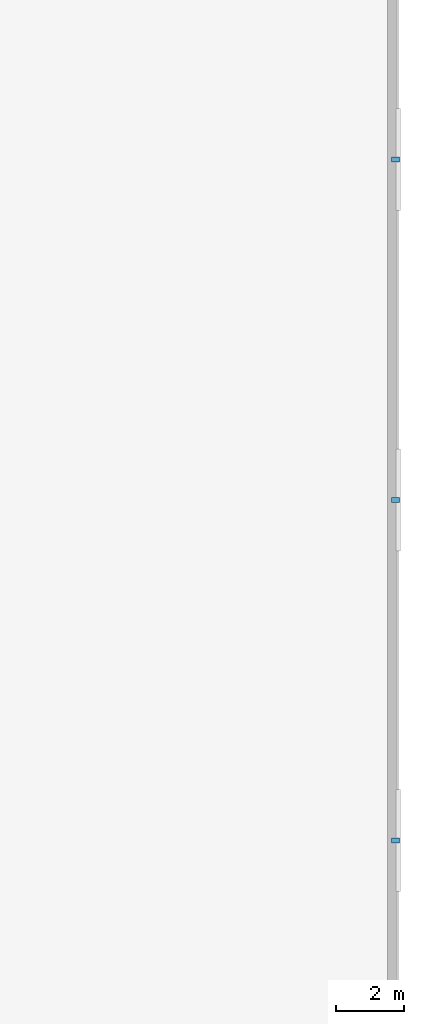
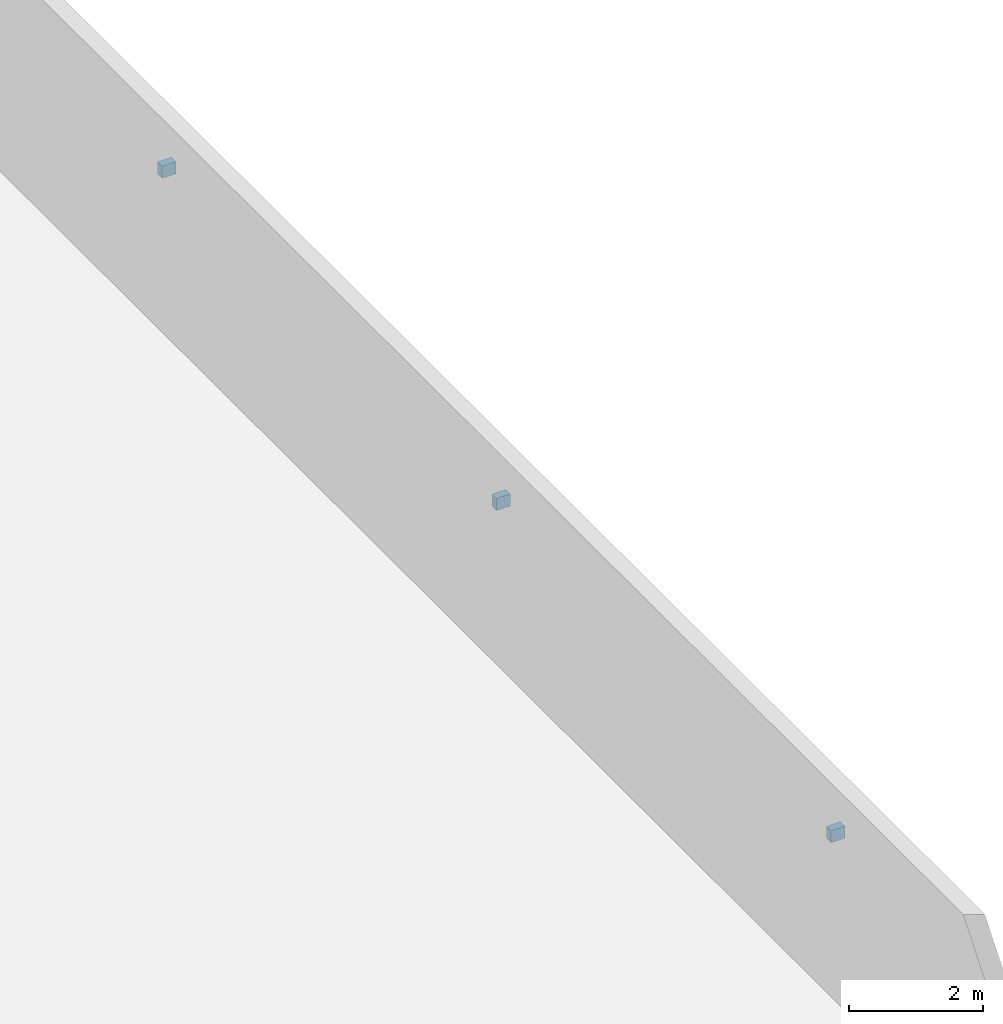
# One storey, part 101 of 119: 3 discrete accessories.
"""IFC4 building model written with IfcOpenShell, lengths in metres."""

from ifc_helpers import new_model, si_unit, derived_unit, direction, frame, origin, origin_2d_with_axis, place, context, subcontext, project, spatial, rectangle, extrude, material, type_object, element, save


model = new_model("IFC4")

# Units and contexts
model_context = context("Model", 3, precision=1e-05, world=origin(), true_north=direction((0.0, 1.0)))
body_context = subcontext(model_context, "Body", "Model", "MODEL_VIEW")
ifc_project = project(units=[si_unit("LENGTHUNIT", "METRE"), si_unit("AREAUNIT", "SQUARE_METRE"), si_unit("VOLUMEUNIT", "CUBIC_METRE"), si_unit("PLANEANGLEUNIT", "RADIAN"), si_unit("MASSUNIT", "GRAM", prefix="KILO"), derived_unit("THERMALTRANSMITTANCEUNIT", [(si_unit("POWERUNIT", "WATT"), 1), (si_unit("LENGTHUNIT", "METRE"), -2), (si_unit("THERMODYNAMICTEMPERATUREUNIT", "KELVIN"), -1)])], contexts=[model_context])

# Site, building, storey
site_placement = place(None, origin())
site = spatial("IfcSite", under=ifc_project, at=site_placement, CompositionType="ELEMENT")
building_placement = place(site_placement, origin())
building = spatial("IfcBuilding", under=site, at=building_placement, Name="Cinnabar Yard Market Hall", CompositionType="ELEMENT")
storey_placement = place(building_placement, origin())
storey = spatial("IfcBuildingStorey", under=building, at=storey_placement, Name="L00", CompositionType="ELEMENT", Elevation=0.0)

# Discrete accessories
ifc_material = material(Name="Galvanised steel Grade 350 (350 MPa)", Category="steel")
discrete_accessory_type = type_object("IfcDiscreteAccessoryType", Name="ACC-BRK1", PredefinedType="BRACKET", material=ifc_material)
for number, where, z_axis, x_axis, name in (
    (1, (213.89990234375, 48.0, 2.64013671875), (0.0, 0.0, 1.0), (1.0, 0.0, 0.0), "Louvre Bracket 1"),
    (2, (213.89990234375, 58.0, 2.64013671875), (0.0, 0.0, 1.0), (1.0, 0.0, 0.0), "Louvre Bracket 2"),
    (3, (213.89990234375, 68.0, 2.64013671875), (0.0, 0.0, 1.0), (1.0, 0.0, 0.0), "Louvre Bracket 3"),
):
    element("IfcDiscreteAccessory", number, at=place(storey_placement, frame(where, z_axis=z_axis, x_axis=x_axis)), inside=storey, type_object=discrete_accessory_type, Name=name, PredefinedType="BRACKET", context=body_context, shape_type="SweptSolid", body=[
        extrude(rectangle(XDim=0.239990234375, YDim=0.139892578125, at=origin_2d_with_axis()), origin(), (0.0, 0.0, 1.0), 0.219970703125),
    ])

save(model, "model.ifc")
